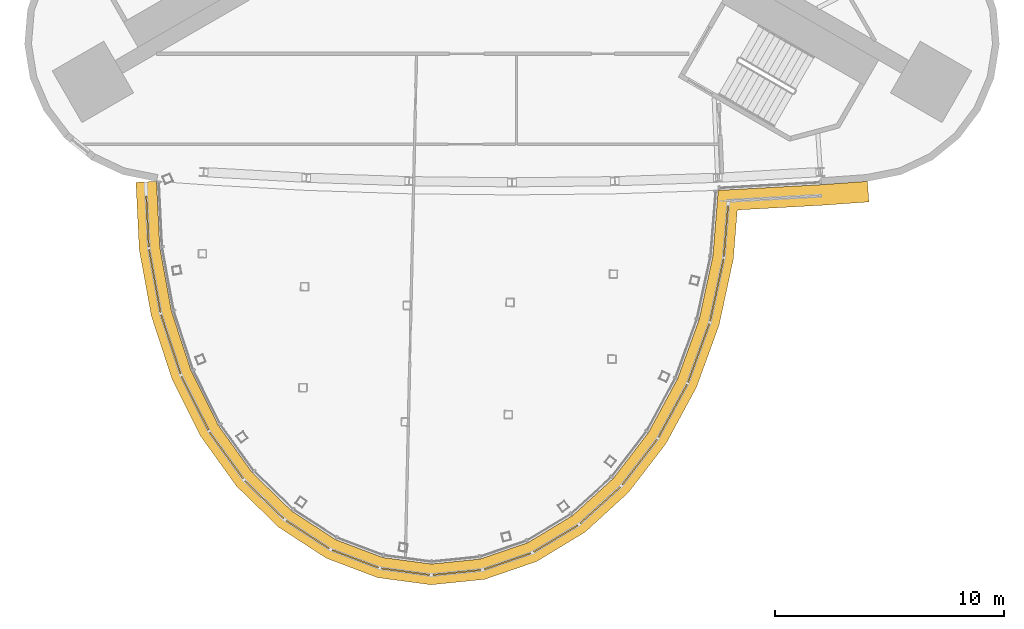
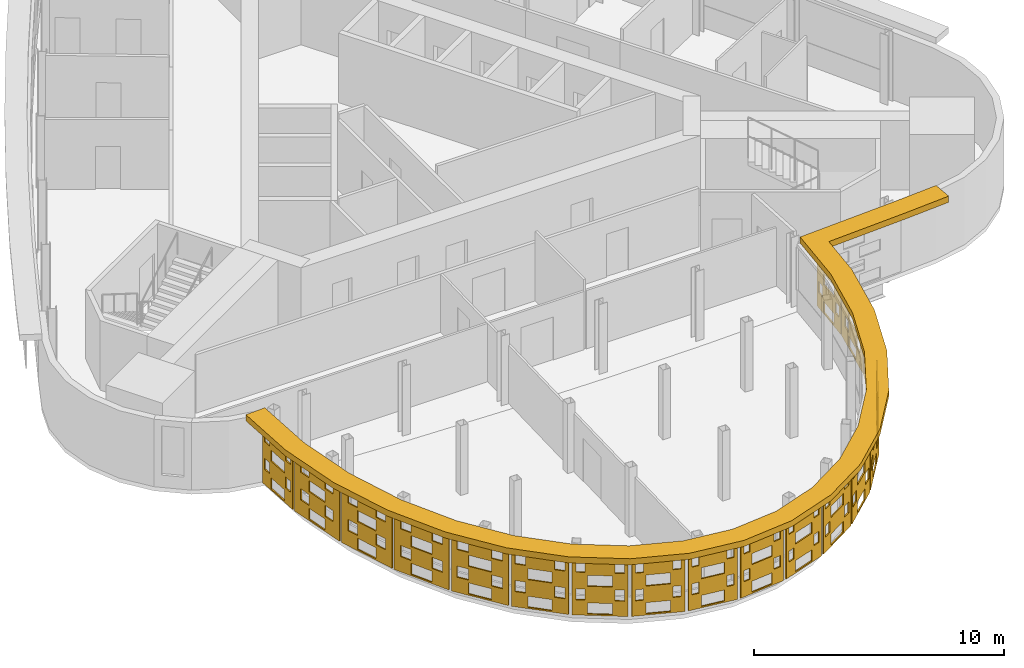
# One storey, part 12 of 14: 19 shading devices.
"""IFC4 building model written with IfcOpenShell, lengths in metres."""

import ifcopenshell
import ifcopenshell.guid

model = None  # the IFC model being written
_history = None  # IfcOwnerHistory: only IFC2X3 demands one
_inside = {}  # id of a spatial element -> (the spatial element, [elements in it])
_under = {}  # id of a project, library or spatial element -> (it, [spatial elements below it])
_declared = {}  # id of a project -> (the project, [libraries it declares])
_typed = {}  # id of a type object -> (the type object, [elements of that type])
_made_of = {}  # id of a material, layer set ... -> (it, [elements and type objects made of it])


def new_model(schema):
    """Start an empty IFC model of exactly this schema.

    Asked for "IFC4X3", IfcOpenShell would pick the latest addendum, in which some entities
    have other attributes; the version numbers below select the first issue.
    IFC2X3 requires an IfcOwnerHistory on every rooted entity: one is made here for all.
    """
    global model, _history
    if schema == "IFC4X3":
        model = ifcopenshell.file(schema_version=(4, 3, 0, 0))
    else:
        model = ifcopenshell.file(schema=schema)
    _inside.clear()
    _under.clear()
    _declared.clear()
    _typed.clear()
    _made_of.clear()
    _history = None
    if model.schema == "IFC2X3":
        org = make("IfcOrganization", Name="unknown")
        user = make(
            "IfcPersonAndOrganization",
            ThePerson=make("IfcPerson", FamilyName="unknown"),
            TheOrganization=org,
        )
        app = make(
            "IfcApplication",
            ApplicationDeveloper=org,
            Version="unknown",
            ApplicationFullName="unknown",
            ApplicationIdentifier="unknown",
        )
        _history = make(
            "IfcOwnerHistory",
            OwningUser=user,
            OwningApplication=app,
            ChangeAction="ADDED",
            CreationDate=0,
        )
    return model


def make(cls, **values):
    """One entity of the class cls with the attributes given. An attribute that is None is left unset."""
    return model.create_entity(
        cls, **{name: value for name, value in values.items() if value is not None}
    )


def rooted(cls, **values):
    """An entity with a GlobalId (a new one), such as an element, a storey or a relation."""
    return make(cls, GlobalId=ifcopenshell.guid.new(), OwnerHistory=_history, **values)


def si_unit(unit_type, name, prefix=None):
    """IfcSIUnit, for example si_unit("LENGTHUNIT", "METRE", prefix="MILLI")."""
    return make("IfcSIUnit", UnitType=unit_type, Prefix=prefix, Name=name)


def assignment(units):
    """IfcUnitAssignment: the units of a project."""
    return None if units is None else make("IfcUnitAssignment", Units=units)


def point(xyz):
    """IfcCartesianPoint."""
    return None if xyz is None else make("IfcCartesianPoint", Coordinates=xyz)


def direction(xyz):
    """IfcDirection."""
    return None if xyz is None else make("IfcDirection", DirectionRatios=xyz)


def frame(location, z_axis=None, x_axis=None):
    """IfcAxis2Placement3D, a coordinate frame: its origin and axes. An axis left out is left unset."""
    return make(
        "IfcAxis2Placement3D",
        Location=point(location),
        Axis=direction(z_axis),
        RefDirection=direction(x_axis),
    )


def origin():
    """The frame at (0, 0, 0) with its axes left unset."""
    return frame((0.0, 0.0, 0.0))


def place(relative_to, where):
    """IfcLocalPlacement: puts the frame where relative to a parent placement (None: the world)."""
    return make(
        "IfcLocalPlacement", PlacementRelTo=relative_to, RelativePlacement=where
    )


def context(
    kind, dimensions, precision=None, world=None, true_north=None, identifier=None
):
    """IfcGeometricRepresentationContext, for example the 3D "Model" context."""
    return make(
        "IfcGeometricRepresentationContext",
        ContextIdentifier=identifier,
        ContextType=kind,
        CoordinateSpaceDimension=dimensions,
        Precision=precision,
        WorldCoordinateSystem=world,
        TrueNorth=true_north,
    )


def subcontext(parent, identifier, kind, view, scale=None):
    """IfcGeometricRepresentationSubContext, for example "Body" below "Model"."""
    return make(
        "IfcGeometricRepresentationSubContext",
        ContextIdentifier=identifier,
        ContextType=kind,
        ParentContext=parent,
        TargetScale=scale,
        TargetView=view,
    )


def project(units=None, contexts=None):
    """IfcProject with its units and contexts."""
    return rooted(
        "IfcProject",
        Name="project",
        RepresentationContexts=contexts,
        UnitsInContext=assignment(units),
    )


def spatial(cls, under=None, at=None, **own):
    """A site, building, storey or space (cls), placed at a placement, below another one or the project."""
    s = rooted(cls, ObjectPlacement=at, **own)
    if under is not None:
        _under.setdefault(under.id(), (under, []))[1].append(s)
    return s


def polyline(points):
    """IfcPolyline through the points."""
    return make("IfcPolyline", Points=[point(p) for p in points])


def outline(outer, holes=None, kind="AREA"):
    """IfcArbitraryClosedProfileDef: a profile drawn as a closed curve; with holes, ...WithVoids."""
    if holes is None:
        return make("IfcArbitraryClosedProfileDef", ProfileType=kind, OuterCurve=outer)
    return make(
        "IfcArbitraryProfileDefWithVoids",
        ProfileType=kind,
        OuterCurve=outer,
        InnerCurves=holes,
    )


def extrude(swept, where, along, depth):
    """IfcExtrudedAreaSolid: the profile swept, set in the frame where, extruded along a direction by depth."""
    return make(
        "IfcExtrudedAreaSolid",
        SweptArea=swept,
        Position=where,
        ExtrudedDirection=direction(along),
        Depth=depth,
    )


def shape(context_of_items, identifier, shape_type, items):
    """IfcShapeRepresentation: the items that make up one representation, for example the "Body"."""
    return make(
        "IfcShapeRepresentation",
        ContextOfItems=context_of_items,
        RepresentationIdentifier=identifier,
        RepresentationType=shape_type,
        Items=items,
    )


def material(Name=None, Category=None):
    """IfcMaterial."""
    return make("IfcMaterial", Name=Name, Category=Category)


def layer(
    of_material, thickness, ventilated=None, Name=None, Category=None, Priority=None
):
    """IfcMaterialLayer: one layer of a wall or slab, of a material (None: an air gap)."""
    return make(
        "IfcMaterialLayer",
        Material=of_material,
        LayerThickness=thickness,
        IsVentilated=ventilated,
        Name=Name,
        Category=Category,
        Priority=Priority,
    )


def layer_set(layers, Name=None):
    """IfcMaterialLayerSet."""
    return make("IfcMaterialLayerSet", MaterialLayers=layers, LayerSetName=Name)


def made_of(thing, what):
    """Note that an element or type object is made of a material, layer set ...; save() writes the relation."""
    if what is not None:
        _made_of.setdefault(what.id(), (what, []))[1].append(thing)
    return thing


def type_object(cls, material=None, **own):
    """A type object (cls), such as IfcWallType, which elements share."""
    return made_of(rooted(cls, **own), material)


def element(
    cls,
    number,
    at=None,
    inside=None,
    cuts=None,
    type_object=None,
    material=None,
    context=None,
    identifier="Body",
    shape_type=None,
    held_by="IfcProductDefinitionShape",
    body=None,
    shapes=None,
    **own,
):
    """One element of the class cls, such as IfcWall. Its Tag is "e" and its number.

    at: its placement. inside: the storey or other place that contains it. cuts: it is an
    opening in that element (IfcRelVoidsElement). A single representation is given by context,
    identifier, shape_type and body (its items); several are given by shapes. held_by: the class
    of the entity that holds the representations. save() writes the other relations.
    """
    e = rooted(cls, Tag="e%d" % number, ObjectPlacement=at, **own)
    if body is not None:
        shapes = [shape(context, identifier, shape_type, body)]
    if shapes is not None:
        e.Representation = make(held_by, Representations=shapes)
    if inside is not None:
        _inside.setdefault(inside.id(), (inside, []))[1].append(e)
    if cuts is not None:
        rooted(
            "IfcRelVoidsElement", RelatingBuildingElement=cuts, RelatedOpeningElement=e
        )
    if type_object is not None:
        _typed.setdefault(type_object.id(), (type_object, []))[1].append(e)
    return made_of(e, material)


def aggregate(whole, parts):
    """IfcRelAggregates: a whole, such as a stair, and the parts it consists of."""
    return rooted("IfcRelAggregates", RelatingObject=whole, RelatedObjects=parts)


def save(model, path):
    """Write the relations noted so far, then the file.

    IfcRelAggregates (storeys below a building ...), IfcRelContainedInSpatialStructure (elements
    in a storey), IfcRelDefinesByType, IfcRelAssociatesMaterial and IfcRelDeclares: one each for
    every whole, place, type object, material and project.
    """
    for whole, parts in _under.values():
        aggregate(whole, parts)
    for where, things in _inside.values():
        rooted(
            "IfcRelContainedInSpatialStructure",
            RelatedElements=things,
            RelatingStructure=where,
        )
    for kind, things in _typed.values():
        rooted("IfcRelDefinesByType", RelatedObjects=things, RelatingType=kind)
    for what, things in _made_of.values():
        rooted("IfcRelAssociatesMaterial", RelatedObjects=things, RelatingMaterial=what)
    for by, libraries in _declared.values():
        rooted("IfcRelDeclares", RelatingContext=by, RelatedDefinitions=libraries)
    model.write(path)


model = new_model("IFC4")

# Units and contexts
model_context = context("Model", 3, precision=1e-05, world=origin(), true_north=direction((0.0, 1.0)))
body_context = subcontext(model_context, "Body", "Model", "MODEL_VIEW")
ifc_project = project(units=[si_unit("LENGTHUNIT", "METRE"), si_unit("AREAUNIT", "SQUARE_METRE"), si_unit("VOLUMEUNIT", "CUBIC_METRE"), si_unit("PLANEANGLEUNIT", "RADIAN"), si_unit("MASSUNIT", "GRAM", prefix="KILO")], contexts=[model_context])

# Site, building, storey
site_placement = place(None, origin())
site = spatial("IfcSite", under=ifc_project, at=site_placement, CompositionType="ELEMENT")
building_placement = place(site_placement, origin())
building = spatial("IfcBuilding", under=site, at=building_placement, Name="Noor Cloister Tower", CompositionType="ELEMENT")
storey_placement = place(building_placement, frame((0.0, 0.0, 214.800048828125)))
storey = spatial("IfcBuildingStorey", under=building, at=storey_placement, Name="L55", CompositionType="ELEMENT", Elevation=214.800048828125)

# Shading devices
ifc_material_1 = material(Name="Limestone", Category="masonry")
ifc_layer = layer(ifc_material_1, 0.06005859375)
ifc_layer_set = layer_set([ifc_layer], Name="SCREEN woven limestone pod 35 percent open")
shading_device_type_1 = type_object("IfcShadingDeviceType", Name="SCREEN woven limestone pod 35 percent open", PredefinedType="USERDEFINED", material=ifc_layer_set)
shading_device_1_placement = place(storey_placement, frame((-15.8720703125, -16.65380859375, 1.849853515625), z_axis=(-0.998802653687, -0.048920946303, 0.0), x_axis=(0.048920946303, -0.998802653687, 0.0)))
element("IfcShadingDevice", 1, at=shading_device_1_placement, inside=storey, type_object=shading_device_type_1, Name="SCREEN L55 1", ObjectType="SCREEN", PredefinedType="USERDEFINED", context=body_context, shape_type="SweptSolid", body=[
    extrude(outline(polyline([(-1.11572265625, -1.35009765625), (1.11572265625, -1.35009765625), (1.11572265625, 1.35009765625), (-1.11572265625, 1.35009765625), (-1.11572265625, -1.35009765625)]), holes=[polyline([(-0.5, -1.282470703125), (0.5, -1.282470703125), (0.5, -0.742431640625), (-0.5, -0.742431640625), (-0.5, -1.282470703125)]), polyline([(0.60009765625, -0.607421875), (0.965576171875, -0.607421875), (0.965576171875, -0.0673828125), (0.60009765625, -0.0673828125), (0.60009765625, -0.607421875)]), polyline([(-0.965576171875, -0.607421875), (-0.60009765625, -0.607421875), (-0.60009765625, -0.0673828125), (-0.965576171875, -0.0673828125), (-0.965576171875, -0.607421875)]), polyline([(-0.5, 0.0673828125), (0.5, 0.0673828125), (0.5, 0.607421875), (-0.5, 0.607421875), (-0.5, 0.0673828125)]), polyline([(0.60009765625, 0.742431640625), (0.965576171875, 0.742431640625), (0.965576171875, 1.282470703125), (0.60009765625, 1.282470703125), (0.60009765625, 0.742431640625)]), polyline([(-0.965576171875, 0.742431640625), (-0.60009765625, 0.742431640625), (-0.60009765625, 1.282470703125), (-0.965576171875, 1.282470703125), (-0.965576171875, 0.742431640625)])]), origin(), (0.0, 0.0, 1.0), 0.059814453125),
])
shading_device_2_placement = place(storey_placement, frame((-15.5556640625, -19.240234375, 1.849853515625), z_axis=(-0.9838699101, -0.1788854382, 0.0), x_axis=(0.1788854382, -0.9838699101, 0.0)))
element("IfcShadingDevice", 2, at=shading_device_2_placement, inside=storey, type_object=shading_device_type_1, Name="SCREEN L55 2", ObjectType="SCREEN", PredefinedType="USERDEFINED", context=body_context, shape_type="SweptSolid", body=[
    extrude(outline(polyline([(-1.396240234375, -1.35009765625), (1.396240234375, -1.35009765625), (1.396240234375, 1.35009765625), (-1.396240234375, 1.35009765625), (-1.396240234375, -1.35009765625)]), holes=[polyline([(-0.5, -1.282470703125), (0.5, -1.282470703125), (0.5, -0.742431640625), (-0.5, -0.742431640625), (-0.5, -1.282470703125)]), polyline([(-1.0, -0.607421875), (-0.5, -0.607421875), (-0.5, -0.0673828125), (-1.0, -0.0673828125), (-1.0, -0.607421875)]), polyline([(0.5, -0.607421875), (1.0, -0.607421875), (1.0, -0.0673828125), (0.5, -0.0673828125), (0.5, -0.607421875)]), polyline([(-0.5, 0.0673828125), (0.5, 0.0673828125), (0.5, 0.607421875), (-0.5, 0.607421875), (-0.5, 0.0673828125)]), polyline([(-1.0, 0.742431640625), (-0.5, 0.742431640625), (-0.5, 1.282470703125), (-1.0, 1.282470703125), (-1.0, 0.742431640625)]), polyline([(0.5, 0.742431640625), (1.0, 0.742431640625), (1.0, 1.282470703125), (0.5, 1.282470703125), (0.5, 0.742431640625)])]), origin(), (0.0, 0.0, 1.0), 0.06005859375),
])
shading_device_3_placement = place(storey_placement, frame((-14.85595703125, -22.00341796875, 1.849853515625), z_axis=(-0.949894076132, -0.312571982317, 0.0), x_axis=(0.312571982317, -0.949894076132, 0.0)))
element("IfcShadingDevice", 3, at=shading_device_3_placement, inside=storey, type_object=shading_device_type_1, Name="SCREEN L55 3", ObjectType="SCREEN", PredefinedType="USERDEFINED", context=body_context, shape_type="SweptSolid", body=[
    extrude(outline(polyline([(-1.359375, -1.35009765625), (1.359375, -1.35009765625), (1.359375, 1.35009765625), (-1.359375, 1.35009765625), (-1.359375, -1.35009765625)]), holes=[polyline([(-0.5, -1.282470703125), (0.5, -1.282470703125), (0.5, -0.742431640625), (-0.5, -0.742431640625), (-0.5, -1.282470703125)]), polyline([(-1.0, -0.607421875), (-0.5, -0.607421875), (-0.5, -0.0673828125), (-1.0, -0.0673828125), (-1.0, -0.607421875)]), polyline([(0.5, -0.607421875), (1.0, -0.607421875), (1.0, -0.0673828125), (0.5, -0.0673828125), (0.5, -0.607421875)]), polyline([(-0.5, 0.0673828125), (0.5, 0.0673828125), (0.5, 0.607421875), (-0.5, 0.607421875), (-0.5, 0.0673828125)]), polyline([(-1.0, 0.742431640625), (-0.5, 0.742431640625), (-0.5, 1.282470703125), (-1.0, 1.282470703125), (-1.0, 0.742431640625)]), polyline([(0.5, 0.742431640625), (1.0, 0.742431640625), (1.0, 1.282470703125), (0.5, 1.282470703125), (0.5, 0.742431640625)])]), origin(), (0.0, 0.0, 1.0), 0.06005859375),
])
shading_device_4_placement = place(storey_placement, frame((-13.80712890625, -24.562255859375, 1.849853515625), z_axis=(-0.893609619956, -0.44884501459, 0.0), x_axis=(0.44884501459, -0.893609619956, 0.0)))
element("IfcShadingDevice", 4, at=shading_device_4_placement, inside=storey, type_object=shading_device_type_1, Name="SCREEN L55 4", ObjectType="SCREEN", PredefinedType="USERDEFINED", context=body_context, shape_type="SweptSolid", body=[
    extrude(outline(polyline([(-1.307861328125, -1.35009765625), (1.307861328125, -1.35009765625), (1.307861328125, 1.35009765625), (-1.307861328125, 1.35009765625), (-1.307861328125, -1.35009765625)]), holes=[polyline([(-0.5, -1.282470703125), (0.5, -1.282470703125), (0.5, -0.742431640625), (-0.5, -0.742431640625), (-0.5, -1.282470703125)]), polyline([(-1.0, -0.607421875), (-0.5, -0.607421875), (-0.5, -0.0673828125), (-1.0, -0.0673828125), (-1.0, -0.607421875)]), polyline([(0.5, -0.607421875), (1.0, -0.607421875), (1.0, -0.0673828125), (0.5, -0.0673828125), (0.5, -0.607421875)]), polyline([(-0.5, 0.0673828125), (0.5, 0.0673828125), (0.5, 0.607421875), (-0.5, 0.607421875), (-0.5, 0.0673828125)]), polyline([(-1.0, 0.742431640625), (-0.5, 0.742431640625), (-0.5, 1.282470703125), (-1.0, 1.282470703125), (-1.0, 0.742431640625)]), polyline([(0.5, 0.742431640625), (1.0, 0.742431640625), (1.0, 1.282470703125), (0.5, 1.282470703125), (0.5, 0.742431640625)])]), origin(), (0.0, 0.0, 1.0), 0.059814453125),
])
shading_device_5_placement = place(storey_placement, frame((-12.437744140625, -26.840087890625, 1.849853515625), z_axis=(-0.81014213461, -0.586233504441, 0.0), x_axis=(0.586233504441, -0.81014213461, 0.0)))
element("IfcShadingDevice", 5, at=shading_device_5_placement, inside=storey, type_object=shading_device_type_1, Name="SCREEN L55 5", ObjectType="SCREEN", PredefinedType="USERDEFINED", context=body_context, shape_type="SweptSolid", body=[
    extrude(outline(polyline([(-1.24658203125, -1.35009765625), (1.24658203125, -1.35009765625), (1.24658203125, 1.35009765625), (-1.24658203125, 1.35009765625), (-1.24658203125, -1.35009765625)]), holes=[polyline([(-0.5, -1.282470703125), (0.5, -1.282470703125), (0.5, -0.742431640625), (-0.5, -0.742431640625), (-0.5, -1.282470703125)]), polyline([(-1.0, -0.607421875), (-0.5, -0.607421875), (-0.5, -0.0673828125), (-1.0, -0.0673828125), (-1.0, -0.607421875)]), polyline([(0.5, -0.607421875), (1.0, -0.607421875), (1.0, -0.0673828125), (0.5, -0.0673828125), (0.5, -0.607421875)]), polyline([(-0.5, 0.0673828125), (0.5, 0.0673828125), (0.5, 0.607421875), (-0.5, 0.607421875), (-0.5, 0.0673828125)]), polyline([(-1.0, 0.742431640625), (-0.5, 0.742431640625), (-0.5, 1.282470703125), (-1.0, 1.282470703125), (-1.0, 0.742431640625)]), polyline([(0.5, 0.742431640625), (1.0, 0.742431640625), (1.0, 1.282470703125), (0.5, 1.282470703125), (0.5, 0.742431640625)])]), origin(), (0.0, 0.0, 1.0), 0.06005859375),
])
shading_device_6_placement = place(storey_placement, frame((-10.785888671875, -28.767822265625, 1.849853515625), z_axis=(-0.696845584905, -0.717221186803, 0.0), x_axis=(0.717221186803, -0.696845584905, 0.0)))
element("IfcShadingDevice", 6, at=shading_device_6_placement, inside=storey, type_object=shading_device_type_1, Name="SCREEN L55 6", ObjectType="SCREEN", PredefinedType="USERDEFINED", context=body_context, shape_type="SweptSolid", body=[
    extrude(outline(polyline([(-1.182373046875, -1.35009765625), (1.182373046875, -1.35009765625), (1.182373046875, 1.35009765625), (-1.182373046875, 1.35009765625), (-1.182373046875, -1.35009765625)]), holes=[polyline([(-0.5, -1.282470703125), (0.5, -1.282470703125), (0.5, -0.742431640625), (-0.5, -0.742431640625), (-0.5, -1.282470703125)]), polyline([(0.60009765625, -0.607421875), (1.032470703125, -0.607421875), (1.032470703125, -0.0673828125), (0.60009765625, -0.0673828125), (0.60009765625, -0.607421875)]), polyline([(-1.032470703125, -0.607421875), (-0.60009765625, -0.607421875), (-0.60009765625, -0.0673828125), (-1.032470703125, -0.0673828125), (-1.032470703125, -0.607421875)]), polyline([(-0.5, 0.0673828125), (0.5, 0.0673828125), (0.5, 0.607421875), (-0.5, 0.607421875), (-0.5, 0.0673828125)]), polyline([(0.60009765625, 0.742431640625), (1.032470703125, 0.742431640625), (1.032470703125, 1.282470703125), (0.60009765625, 1.282470703125), (0.60009765625, 0.742431640625)]), polyline([(-1.032470703125, 0.742431640625), (-0.60009765625, 0.742431640625), (-0.60009765625, 1.282470703125), (-1.032470703125, 1.282470703125), (-1.032470703125, 0.742431640625)])]), origin(), (0.0, 0.0, 1.0), 0.059814453125),
])
shading_device_7_placement = place(storey_placement, frame((-8.897705078125, -30.284423828125, 1.849853515625), z_axis=(-0.545274379459, -0.838257628123, 0.0), x_axis=(0.838257628123, -0.545274379459, 0.0)))
element("IfcShadingDevice", 7, at=shading_device_7_placement, inside=storey, type_object=shading_device_type_1, Name="SCREEN L55 7", ObjectType="SCREEN", PredefinedType="USERDEFINED", context=body_context, shape_type="SweptSolid", body=[
    extrude(outline(polyline([(-1.122802734375, -1.35009765625), (1.122802734375, -1.35009765625), (1.122802734375, 1.35009765625), (-1.122802734375, 1.35009765625), (-1.122802734375, -1.35009765625)]), holes=[polyline([(-0.5, -1.282470703125), (0.5, -1.282470703125), (0.5, -0.742431640625), (-0.5, -0.742431640625), (-0.5, -1.282470703125)]), polyline([(0.60009765625, -0.607421875), (0.972900390625, -0.607421875), (0.972900390625, -0.0673828125), (0.60009765625, -0.0673828125), (0.60009765625, -0.607421875)]), polyline([(-0.972900390625, -0.607421875), (-0.60009765625, -0.607421875), (-0.60009765625, -0.0673828125), (-0.972900390625, -0.0673828125), (-0.972900390625, -0.607421875)]), polyline([(-0.5, 0.0673828125), (0.5, 0.0673828125), (0.5, 0.607421875), (-0.5, 0.607421875), (-0.5, 0.0673828125)]), polyline([(0.60009765625, 0.742431640625), (0.972900390625, 0.742431640625), (0.972900390625, 1.282470703125), (0.60009765625, 1.282470703125), (0.60009765625, 0.742431640625)]), polyline([(-0.972900390625, 0.742431640625), (-0.60009765625, 0.742431640625), (-0.60009765625, 1.282470703125), (-0.972900390625, 1.282470703125), (-0.972900390625, 0.742431640625)])]), origin(), (0.0, 0.0, 1.0), 0.06005859375),
])
shading_device_8_placement = place(storey_placement, frame((-6.828369140625, -31.340087890625, 1.849853515625), z_axis=(-0.355146418402, -0.934810687517, 0.0), x_axis=(0.934810687517, -0.355146418402, 0.0)))
element("IfcShadingDevice", 8, at=shading_device_8_placement, inside=storey, type_object=shading_device_type_1, Name="SCREEN L55 8", ObjectType="SCREEN", PredefinedType="USERDEFINED", context=body_context, shape_type="SweptSolid", body=[
    extrude(outline(polyline([(-1.07666015625, -1.35009765625), (1.07666015625, -1.35009765625), (1.07666015625, 1.35009765625), (-1.07666015625, 1.35009765625), (-1.07666015625, -1.35009765625)]), holes=[polyline([(-0.5, -1.282470703125), (0.5, -1.282470703125), (0.5, -0.742431640625), (-0.5, -0.742431640625), (-0.5, -1.282470703125)]), polyline([(0.60009765625, -0.607421875), (0.9267578125, -0.607421875), (0.9267578125, -0.0673828125), (0.60009765625, -0.0673828125), (0.60009765625, -0.607421875)]), polyline([(-0.9267578125, -0.607421875), (-0.60009765625, -0.607421875), (-0.60009765625, -0.0673828125), (-0.9267578125, -0.0673828125), (-0.9267578125, -0.607421875)]), polyline([(-0.5, 0.0673828125), (0.5, 0.0673828125), (0.5, 0.607421875), (-0.5, 0.607421875), (-0.5, 0.0673828125)]), polyline([(0.60009765625, 0.742431640625), (0.9267578125, 0.742431640625), (0.9267578125, 1.282470703125), (0.60009765625, 1.282470703125), (0.60009765625, 0.742431640625)]), polyline([(-0.9267578125, 0.742431640625), (-0.60009765625, 0.742431640625), (-0.60009765625, 1.282470703125), (-0.9267578125, 1.282470703125), (-0.9267578125, 0.742431640625)])]), origin(), (0.0, 0.0, 1.0), 0.059814453125),
])
shading_device_9_placement = place(storey_placement, frame((-4.641357421875, -31.896240234375, 1.849853515625), z_axis=(-0.134025693798, -0.99097785717, 0.0), x_axis=(0.99097785717, -0.134025693798, 0.0)))
element("IfcShadingDevice", 9, at=shading_device_9_placement, inside=storey, type_object=shading_device_type_1, Name="SCREEN L55 9", ObjectType="SCREEN", PredefinedType="USERDEFINED", context=body_context, shape_type="SweptSolid", body=[
    extrude(outline(polyline([(-1.05126953125, -1.35009765625), (1.05126953125, -1.35009765625), (1.05126953125, 1.35009765625), (-1.05126953125, 1.35009765625), (-1.05126953125, -1.35009765625)]), holes=[polyline([(-0.5, -1.282470703125), (0.5, -1.282470703125), (0.5, -0.742431640625), (-0.5, -0.742431640625), (-0.5, -1.282470703125)]), polyline([(0.60009765625, -0.607421875), (0.9013671875, -0.607421875), (0.9013671875, -0.0673828125), (0.60009765625, -0.0673828125), (0.60009765625, -0.607421875)]), polyline([(-0.9013671875, -0.607421875), (-0.60009765625, -0.607421875), (-0.60009765625, -0.0673828125), (-0.9013671875, -0.0673828125), (-0.9013671875, -0.607421875)]), polyline([(-0.5, 0.0673828125), (0.5, 0.0673828125), (0.5, 0.607421875), (-0.5, 0.607421875), (-0.5, 0.0673828125)]), polyline([(0.60009765625, 0.742431640625), (0.9013671875, 0.742431640625), (0.9013671875, 1.282470703125), (0.60009765625, 1.282470703125), (0.60009765625, 0.742431640625)]), polyline([(-0.9013671875, 0.742431640625), (-0.60009765625, 0.742431640625), (-0.60009765625, 1.282470703125), (-0.9013671875, 1.282470703125), (-0.9013671875, 0.742431640625)])]), origin(), (0.0, 0.0, 1.0), 0.06005859375),
])
shading_device_10_placement = place(storey_placement, frame((-2.408447265625, -31.93212890625, 1.849853515625), z_axis=(0.101925414299, -0.994792043555, 0.0), x_axis=(0.994792043555, 0.101925414299, 0.0)))
element("IfcShadingDevice", 10, at=shading_device_10_placement, inside=storey, type_object=shading_device_type_1, Name="SCREEN L55 10", ObjectType="SCREEN", PredefinedType="USERDEFINED", context=body_context, shape_type="SweptSolid", body=[
    extrude(outline(polyline([(-1.05126953125, -1.35009765625), (1.05126953125, -1.35009765625), (1.05126953125, 1.35009765625), (-1.05126953125, 1.35009765625), (-1.05126953125, -1.35009765625)]), holes=[polyline([(-0.5, -1.282470703125), (0.5, -1.282470703125), (0.5, -0.742431640625), (-0.5, -0.742431640625), (-0.5, -1.282470703125)]), polyline([(0.60009765625, -0.607421875), (0.9013671875, -0.607421875), (0.9013671875, -0.0673828125), (0.60009765625, -0.0673828125), (0.60009765625, -0.607421875)]), polyline([(-0.9013671875, -0.607421875), (-0.60009765625, -0.607421875), (-0.60009765625, -0.0673828125), (-0.9013671875, -0.0673828125), (-0.9013671875, -0.607421875)]), polyline([(-0.5, 0.0673828125), (0.5, 0.0673828125), (0.5, 0.607421875), (-0.5, 0.607421875), (-0.5, 0.0673828125)]), polyline([(0.60009765625, 0.742431640625), (0.9013671875, 0.742431640625), (0.9013671875, 1.282470703125), (0.60009765625, 1.282470703125), (0.60009765625, 0.742431640625)]), polyline([(-0.9013671875, 0.742431640625), (-0.60009765625, 0.742431640625), (-0.60009765625, 1.282470703125), (-0.9013671875, 1.282470703125), (-0.9013671875, 0.742431640625)])]), origin(), (0.0, 0.0, 1.0), 0.059814453125),
])
shading_device_11_placement = place(storey_placement, frame((-0.204833984375, -31.4462890625, 1.849853515625), z_axis=(0.325990683319, -0.945372981626, 0.0), x_axis=(0.945372981626, 0.325990683319, 0.0)))
element("IfcShadingDevice", 11, at=shading_device_11_placement, inside=storey, type_object=shading_device_type_1, Name="SCREEN L55 11", ObjectType="SCREEN", PredefinedType="USERDEFINED", context=body_context, shape_type="SweptSolid", body=[
    extrude(outline(polyline([(-1.07666015625, -1.35009765625), (1.07666015625, -1.35009765625), (1.07666015625, 1.35009765625), (-1.07666015625, 1.35009765625), (-1.07666015625, -1.35009765625)]), holes=[polyline([(-0.5, -1.282470703125), (0.5, -1.282470703125), (0.5, -0.742431640625), (-0.5, -0.742431640625), (-0.5, -1.282470703125)]), polyline([(0.60009765625, -0.607421875), (0.9267578125, -0.607421875), (0.9267578125, -0.0673828125), (0.60009765625, -0.0673828125), (0.60009765625, -0.607421875)]), polyline([(-0.9267578125, -0.607421875), (-0.60009765625, -0.607421875), (-0.60009765625, -0.0673828125), (-0.9267578125, -0.0673828125), (-0.9267578125, -0.607421875)]), polyline([(-0.5, 0.0673828125), (0.5, 0.0673828125), (0.5, 0.607421875), (-0.5, 0.607421875), (-0.5, 0.0673828125)]), polyline([(0.60009765625, 0.742431640625), (0.9267578125, 0.742431640625), (0.9267578125, 1.282470703125), (0.60009765625, 1.282470703125), (0.60009765625, 0.742431640625)]), polyline([(-0.9267578125, 0.742431640625), (-0.60009765625, 0.742431640625), (-0.60009765625, 1.282470703125), (-0.9267578125, 1.282470703125), (-0.9267578125, 0.742431640625)])]), origin(), (0.0, 0.0, 1.0), 0.059814453125),
])
shading_device_12_placement = place(storey_placement, frame((1.8974609375, -30.457763671875, 1.849853515625), z_axis=(0.517488728384, -0.855690023312, 0.0), x_axis=(0.855690023312, 0.517488728384, 0.0)))
element("IfcShadingDevice", 12, at=shading_device_12_placement, inside=storey, type_object=shading_device_type_1, Name="SCREEN L55 12", ObjectType="SCREEN", PredefinedType="USERDEFINED", context=body_context, shape_type="SweptSolid", body=[
    extrude(outline(polyline([(-1.122802734375, -1.35009765625), (1.122802734375, -1.35009765625), (1.122802734375, 1.35009765625), (-1.122802734375, 1.35009765625), (-1.122802734375, -1.35009765625)]), holes=[polyline([(-0.5, -1.282470703125), (0.5, -1.282470703125), (0.5, -0.742431640625), (-0.5, -0.742431640625), (-0.5, -1.282470703125)]), polyline([(0.60009765625, -0.607421875), (0.972900390625, -0.607421875), (0.972900390625, -0.0673828125), (0.60009765625, -0.0673828125), (0.60009765625, -0.607421875)]), polyline([(-0.972900390625, -0.607421875), (-0.60009765625, -0.607421875), (-0.60009765625, -0.0673828125), (-0.972900390625, -0.0673828125), (-0.972900390625, -0.607421875)]), polyline([(-0.5, 0.0673828125), (0.5, 0.0673828125), (0.5, 0.607421875), (-0.5, 0.607421875), (-0.5, 0.0673828125)]), polyline([(0.60009765625, 0.742431640625), (0.972900390625, 0.742431640625), (0.972900390625, 1.282470703125), (0.60009765625, 1.282470703125), (0.60009765625, 0.742431640625)]), polyline([(-0.972900390625, 0.742431640625), (-0.60009765625, 0.742431640625), (-0.60009765625, 1.282470703125), (-0.972900390625, 1.282470703125), (-0.972900390625, 0.742431640625)])]), origin(), (0.0, 0.0, 1.0), 0.059814453125),
])
shading_device_13_placement = place(storey_placement, frame((3.833251953125, -29.002197265625, 1.849853515625), z_axis=(0.671659103057, -0.740860343979, 0.0), x_axis=(0.740860343979, 0.671659103057, 0.0)))
element("IfcShadingDevice", 13, at=shading_device_13_placement, inside=storey, type_object=shading_device_type_1, Name="SCREEN L55 13", ObjectType="SCREEN", PredefinedType="USERDEFINED", context=body_context, shape_type="SweptSolid", body=[
    extrude(outline(polyline([(-1.182373046875, -1.35009765625), (1.182373046875, -1.35009765625), (1.182373046875, 1.35009765625), (-1.182373046875, 1.35009765625), (-1.182373046875, -1.35009765625)]), holes=[polyline([(-0.5, -1.282470703125), (0.5, -1.282470703125), (0.5, -0.742431640625), (-0.5, -0.742431640625), (-0.5, -1.282470703125)]), polyline([(0.60009765625, -0.607421875), (1.032470703125, -0.607421875), (1.032470703125, -0.0673828125), (0.60009765625, -0.0673828125), (0.60009765625, -0.607421875)]), polyline([(-1.032470703125, -0.607421875), (-0.60009765625, -0.607421875), (-0.60009765625, -0.0673828125), (-1.032470703125, -0.0673828125), (-1.032470703125, -0.607421875)]), polyline([(-0.5, 0.0673828125), (0.5, 0.0673828125), (0.5, 0.607421875), (-0.5, 0.607421875), (-0.5, 0.0673828125)]), polyline([(0.60009765625, 0.742431640625), (1.032470703125, 0.742431640625), (1.032470703125, 1.282470703125), (0.60009765625, 1.282470703125), (0.60009765625, 0.742431640625)]), polyline([(-1.032470703125, 0.742431640625), (-0.60009765625, 0.742431640625), (-0.60009765625, 1.282470703125), (-1.032470703125, 1.282470703125), (-1.032470703125, 0.742431640625)])]), origin(), (0.0, 0.0, 1.0), 0.06005859375),
])
shading_device_14_placement = place(storey_placement, frame((5.5458984375, -27.128662109375, 1.849853515625), z_axis=(0.792623989105, -0.60971076085, 0.0), x_axis=(0.60971076085, 0.792623989105, 0.0)))
element("IfcShadingDevice", 14, at=shading_device_14_placement, inside=storey, type_object=shading_device_type_1, Name="SCREEN L55 14", ObjectType="SCREEN", PredefinedType="USERDEFINED", context=body_context, shape_type="SweptSolid", body=[
    extrude(outline(polyline([(-1.24658203125, -1.35009765625), (1.24658203125, -1.35009765625), (1.24658203125, 1.35009765625), (-1.24658203125, 1.35009765625), (-1.24658203125, -1.35009765625)]), holes=[polyline([(-0.5, -1.282470703125), (0.5, -1.282470703125), (0.5, -0.742431640625), (-0.5, -0.742431640625), (-0.5, -1.282470703125)]), polyline([(-1.0, -0.607421875), (-0.5, -0.607421875), (-0.5, -0.0673828125), (-1.0, -0.0673828125), (-1.0, -0.607421875)]), polyline([(0.5, -0.607421875), (1.0, -0.607421875), (1.0, -0.0673828125), (0.5, -0.0673828125), (0.5, -0.607421875)]), polyline([(-0.5, 0.0673828125), (0.5, 0.0673828125), (0.5, 0.607421875), (-0.5, 0.607421875), (-0.5, 0.0673828125)]), polyline([(-1.0, 0.742431640625), (-0.5, 0.742431640625), (-0.5, 1.282470703125), (-1.0, 1.282470703125), (-1.0, 0.742431640625)]), polyline([(0.5, 0.742431640625), (1.0, 0.742431640625), (1.0, 1.282470703125), (0.5, 1.282470703125), (0.5, 0.742431640625)])]), origin(), (0.0, 0.0, 1.0), 0.06005859375),
])
shading_device_15_placement = place(storey_placement, frame((6.98779296875, -24.89599609375, 1.849853515625), z_axis=(0.879291966537, -0.476283148541, 0.0), x_axis=(0.476283148541, 0.879291966537, 0.0)))
element("IfcShadingDevice", 15, at=shading_device_15_placement, inside=storey, type_object=shading_device_type_1, Name="SCREEN L55 15", ObjectType="SCREEN", PredefinedType="USERDEFINED", context=body_context, shape_type="SweptSolid", body=[
    extrude(outline(polyline([(-1.307861328125, -1.35009765625), (1.307861328125, -1.35009765625), (1.307861328125, 1.35009765625), (-1.307861328125, 1.35009765625), (-1.307861328125, -1.35009765625)]), holes=[polyline([(-0.5, -1.282470703125), (0.5, -1.282470703125), (0.5, -0.742431640625), (-0.5, -0.742431640625), (-0.5, -1.282470703125)]), polyline([(-1.0, -0.607421875), (-0.5, -0.607421875), (-0.5, -0.0673828125), (-1.0, -0.0673828125), (-1.0, -0.607421875)]), polyline([(0.5, -0.607421875), (1.0, -0.607421875), (1.0, -0.0673828125), (0.5, -0.0673828125), (0.5, -0.607421875)]), polyline([(-0.5, 0.0673828125), (0.5, 0.0673828125), (0.5, 0.607421875), (-0.5, 0.607421875), (-0.5, 0.0673828125)]), polyline([(-1.0, 0.742431640625), (-0.5, 0.742431640625), (-0.5, 1.282470703125), (-1.0, 1.282470703125), (-1.0, 0.742431640625)]), polyline([(0.5, 0.742431640625), (1.0, 0.742431640625), (1.0, 1.282470703125), (0.5, 1.282470703125), (0.5, 0.742431640625)])]), origin(), (0.0, 0.0, 1.0), 0.06005859375),
])
shading_device_16_placement = place(storey_placement, frame((8.1181640625, -22.3720703125, 1.849853515625), z_axis=(0.939793423488, -0.341743063087, 0.0), x_axis=(0.341743063087, 0.939793423488, 0.0)))
element("IfcShadingDevice", 16, at=shading_device_16_placement, inside=storey, type_object=shading_device_type_1, Name="SCREEN L55 16", ObjectType="SCREEN", PredefinedType="USERDEFINED", context=body_context, shape_type="SweptSolid", body=[
    extrude(outline(polyline([(-1.359375, -1.35009765625), (1.359375, -1.35009765625), (1.359375, 1.35009765625), (-1.359375, 1.35009765625), (-1.359375, -1.35009765625)]), holes=[polyline([(-0.5, -1.282470703125), (0.5, -1.282470703125), (0.5, -0.742431640625), (-0.5, -0.742431640625), (-0.5, -1.282470703125)]), polyline([(-1.0, -0.607421875), (-0.5, -0.607421875), (-0.5, -0.0673828125), (-1.0, -0.0673828125), (-1.0, -0.607421875)]), polyline([(0.5, -0.607421875), (1.0, -0.607421875), (1.0, -0.0673828125), (0.5, -0.0673828125), (0.5, -0.607421875)]), polyline([(-0.5, 0.0673828125), (0.5, 0.0673828125), (0.5, 0.607421875), (-0.5, 0.607421875), (-0.5, 0.0673828125)]), polyline([(-1.0, 0.742431640625), (-0.5, 0.742431640625), (-0.5, 1.282470703125), (-1.0, 1.282470703125), (-1.0, 0.742431640625)]), polyline([(0.5, 0.742431640625), (1.0, 0.742431640625), (1.0, 1.282470703125), (0.5, 1.282470703125), (0.5, 0.742431640625)])]), origin(), (0.0, 0.0, 1.0), 0.06005859375),
])
shading_device_17_placement = place(storey_placement, frame((8.90625, -19.632568359375, 1.849853515625), z_axis=(0.977323140027, -0.211753347006, 0.0), x_axis=(0.211753347006, 0.977323140027, 0.0)))
element("IfcShadingDevice", 17, at=shading_device_17_placement, inside=storey, type_object=shading_device_type_1, Name="SCREEN L55 17", ObjectType="SCREEN", PredefinedType="USERDEFINED", context=body_context, shape_type="SweptSolid", body=[
    extrude(outline(polyline([(-1.396240234375, -1.35009765625), (1.396240234375, -1.35009765625), (1.396240234375, 1.35009765625), (-1.396240234375, 1.35009765625), (-1.396240234375, -1.35009765625)]), holes=[polyline([(-0.5, -1.282470703125), (0.5, -1.282470703125), (0.5, -0.742431640625), (-0.5, -0.742431640625), (-0.5, -1.282470703125)]), polyline([(-1.0, -0.607421875), (-0.5, -0.607421875), (-0.5, -0.0673828125), (-1.0, -0.0673828125), (-1.0, -0.607421875)]), polyline([(0.5, -0.607421875), (1.0, -0.607421875), (1.0, -0.0673828125), (0.5, -0.0673828125), (0.5, -0.607421875)]), polyline([(-0.5, 0.0673828125), (0.5, 0.0673828125), (0.5, 0.607421875), (-0.5, 0.607421875), (-0.5, 0.0673828125)]), polyline([(-1.0, 0.742431640625), (-0.5, 0.742431640625), (-0.5, 1.282470703125), (-1.0, 1.282470703125), (-1.0, 0.742431640625)]), polyline([(0.5, 0.742431640625), (1.0, 0.742431640625), (1.0, 1.282470703125), (0.5, 1.282470703125), (0.5, 0.742431640625)])]), origin(), (0.0, 0.0, 1.0), 0.06005859375),
])
shading_device_18_placement = place(storey_placement, frame((9.30517578125, -17.0576171875, 1.849853515625), z_axis=(0.996684615823, -0.081362009455, 0.0), x_axis=(0.081362009455, 0.996684615823, 0.0)))
element("IfcShadingDevice", 18, at=shading_device_18_placement, inside=storey, type_object=shading_device_type_1, Name="SCREEN L55 18", ObjectType="SCREEN", PredefinedType="USERDEFINED", context=body_context, shape_type="SweptSolid", body=[
    extrude(outline(polyline([(-1.11572265625, -1.35009765625), (1.11572265625, -1.35009765625), (1.11572265625, 1.35009765625), (-1.11572265625, 1.35009765625), (-1.11572265625, -1.35009765625)]), holes=[polyline([(-0.5, -1.282470703125), (0.5, -1.282470703125), (0.5, -0.742431640625), (-0.5, -0.742431640625), (-0.5, -1.282470703125)]), polyline([(0.60009765625, -0.607421875), (0.965576171875, -0.607421875), (0.965576171875, -0.0673828125), (0.60009765625, -0.0673828125), (0.60009765625, -0.607421875)]), polyline([(-0.965576171875, -0.607421875), (-0.60009765625, -0.607421875), (-0.60009765625, -0.0673828125), (-0.965576171875, -0.0673828125), (-0.965576171875, -0.607421875)]), polyline([(-0.5, 0.0673828125), (0.5, 0.0673828125), (0.5, 0.607421875), (-0.5, 0.607421875), (-0.5, 0.0673828125)]), polyline([(0.60009765625, 0.742431640625), (0.965576171875, 0.742431640625), (0.965576171875, 1.282470703125), (0.60009765625, 1.282470703125), (0.60009765625, 0.742431640625)]), polyline([(-0.965576171875, 0.742431640625), (-0.60009765625, 0.742431640625), (-0.60009765625, 1.282470703125), (-0.965576171875, 1.282470703125), (-0.965576171875, 0.742431640625)])]), origin(), (0.0, 0.0, 1.0), 0.06005859375),
])
ifc_material_2 = material(Name="Limestone", Category="masonry")
shading_device_type_2 = type_object("IfcShadingDeviceType", Name="SUNSHADE limestone band 900", PredefinedType="USERDEFINED", material=ifc_material_2)
shading_device_19_placement = place(storey_placement, frame((0.0, 0.0, 3.300048828125)))
element("IfcShadingDevice", 19, at=shading_device_19_placement, inside=storey, type_object=shading_device_type_2, Name="SUNSHADE L55 2", ObjectType="SUNSHADE", PredefinedType="USERDEFINED", context=body_context, shape_type="SweptSolid", body=[
    extrude(outline(polyline([(-16.40625, -14.942138671875), (-16.26318359375, -17.869140625), (-15.733154296875, -20.77490234375), (-14.83251953125, -23.516845703125), (-13.583740234375, -26.015380859375), (-12.01806640625, -28.196044921875), (-10.175048828125, -29.990478515625), (-8.103759765625, -31.337646484375), (-5.865478515625, -32.18603515625), (-3.5341796875, -32.498779296875), (-1.1943359375, -32.260986328125), (1.070068359375, -31.48486328125), (3.18359375, -30.204833984375), (5.083251953125, -28.47021484375), (6.718017578125, -26.341064453125), (8.04638671875, -23.884033203125), (9.034423828125, -21.172119140625), (9.6572265625, -18.284912109375), (9.83056640625, -16.146484375), (13.547119140625, -15.940673828125), (15.571533203125, -15.7958984375), (15.50732421875, -14.898193359375), (13.489990234375, -15.04248046875), (8.9970703125, -15.291259765625), (8.764892578125, -18.153076171875), (8.167724609375, -20.922119140625), (7.22314453125, -23.513916015625), (5.96044921875, -25.85009765625), (4.417724609375, -27.859130859375), (2.641845703125, -29.480712890625), (0.686767578125, -30.6650390625), (-1.38818359375, -31.376220703125), (-3.519775390625, -31.5927734375), (-5.643310546875, -31.307861328125), (-7.6943359375, -30.530517578125), (-9.6103515625, -29.2841796875), (-11.333251953125, -27.6064453125), (-12.810791015625, -25.548828125), (-13.998046875, -23.173583984375), (-14.85888671875, -20.552734375), (-15.366943359375, -17.76611328125), (-15.50732421875, -14.898193359375), (-16.40625, -14.942138671875)])), origin(), (0.0, 0.0, 1.0), 0.2998046875),
])

save(model, "model.ifc")
